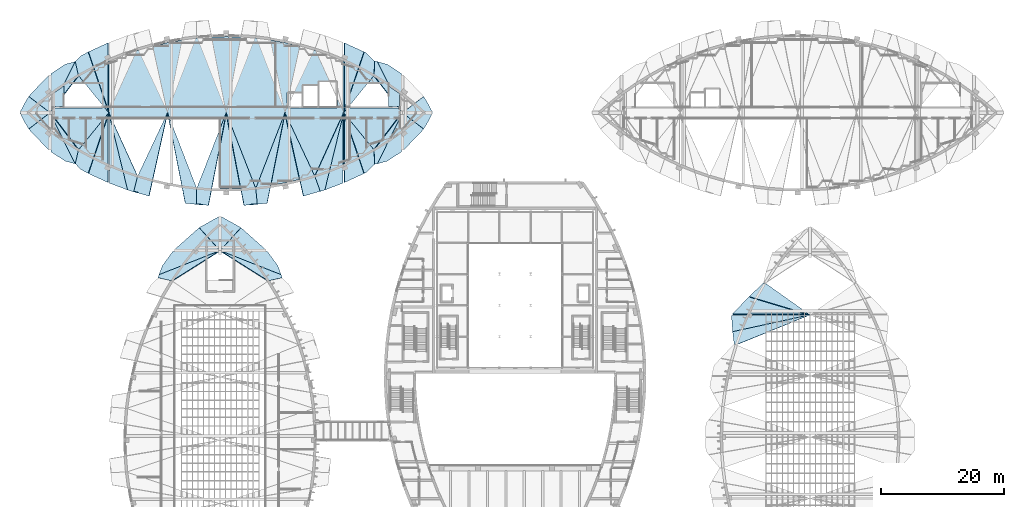
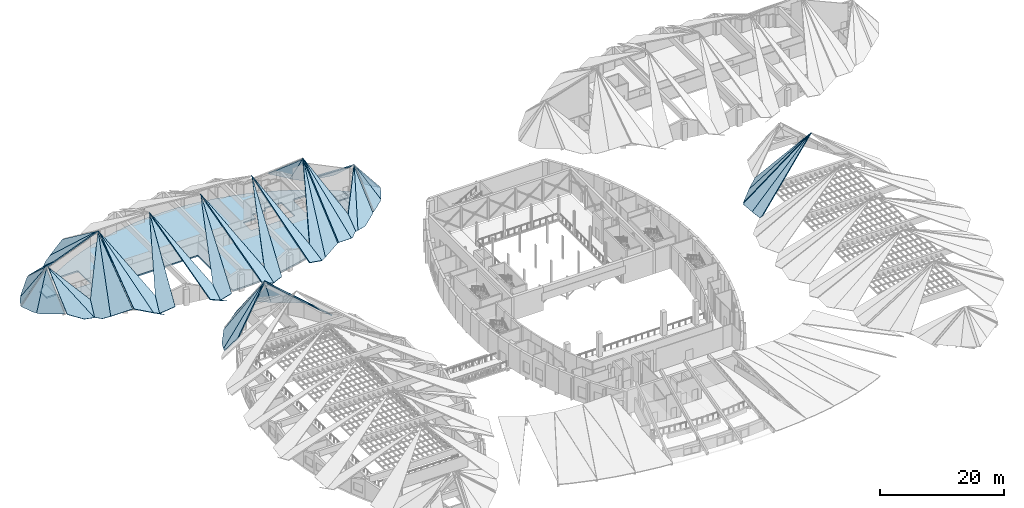
# One storey, part 24 of 56: 48 slabs.
"""IFC4 building model written with IfcOpenShell, lengths in metres."""

from ifc_helpers import new_model, si_unit, direction, frame, origin, place, context, subcontext, project, spatial, polyline, outline, extrude, material, layer, layer_set, type_object, element, save


model = new_model("IFC4")

# Units and contexts
model_context = context("Model", 3, precision=1e-05, world=origin(), true_north=direction((0.0, 1.0)))
body_context = subcontext(model_context, "Body", "Model", "MODEL_VIEW")
ifc_project = project(units=[si_unit("LENGTHUNIT", "METRE"), si_unit("AREAUNIT", "SQUARE_METRE"), si_unit("VOLUMEUNIT", "CUBIC_METRE"), si_unit("PLANEANGLEUNIT", "RADIAN"), si_unit("MASSUNIT", "GRAM", prefix="KILO")], contexts=[model_context])

# Site, building, storey
site_placement = place(None, origin())
site = spatial("IfcSite", under=ifc_project, at=site_placement, CompositionType="ELEMENT")
building_placement = place(site_placement, origin())
building = spatial("IfcBuilding", under=site, at=building_placement, Name="Tide Square Theatres", CompositionType="ELEMENT")
storey_placement = place(building_placement, frame((0.0, 0.0, 10.199951171875)))
storey = spatial("IfcBuildingStorey", under=building, at=storey_placement, Name="L02", CompositionType="ELEMENT", Elevation=10.199951171875)

# Slabs
ifc_material_1 = material(Name="Concrete C35", Category="concrete")
ifc_layer_1 = layer(ifc_material_1, 0.280029296875)
ifc_layer_set_1 = layer_set([ifc_layer_1], Name="Concrete C35")
slab_type_1 = type_object("IfcSlabType", Name="RC floor slab 280", PredefinedType="FLOOR", material=ifc_layer_set_1)
slab_1_placement = place(storey_placement, frame((0.0, 0.0, -0.280029296875)))
element("IfcSlab", 1, at=slab_1_placement, inside=storey, type_object=slab_type_1, Name="Scenery Workshops floor slab L02", PredefinedType="FLOOR", context=body_context, shape_type="SweptSolid", body=[
    extrude(outline(polyline([(63.3046875, 93.35986328125), (65.560546875, 94.95166015625), (67.484619140625, 96.473876953125), (68.993896484375, 97.800048828125), (67.484619140625, 99.1259765625), (65.560546875, 100.648193359375), (65.39990234375, 100.761474609375), (65.39990234375, 98.699951171875), (65.300048828125, 98.699951171875), (65.300048828125, 98.60009765625), (57.10009765625, 98.60009765625), (57.10009765625, 98.699951171875), (57.0, 98.699951171875), (57.0, 102.64990234375), (57.10009765625, 102.64990234375), (57.10009765625, 102.75), (62.48486328125, 102.75), (60.9609375, 103.697998046875), (58.53662109375, 105.017822265625), (56.03955078125, 106.195068359375), (53.72265625, 107.134521484375), (51.359130859375, 107.951171875), (48.9560546875, 108.642578125), (46.519775390625, 109.20703125), (44.1611328125, 109.626953125), (41.7841796875, 109.927490234375), (39.39501953125, 110.1083984375), (37.0, 110.168701171875), (34.60498046875, 110.1083984375), (32.2158203125, 109.927490234375), (29.8388671875, 109.626953125), (27.480224609375, 109.20703125), (25.0439453125, 108.642578125), (22.640869140625, 107.951171875), (20.27734375, 107.134521484375), (17.96044921875, 106.195068359375), (15.46337890625, 105.017822265625), (13.0390625, 103.697998046875), (11.51513671875, 102.75), (16.89990234375, 102.75), (16.89990234375, 102.64990234375), (17.0, 102.64990234375), (17.0, 98.699951171875), (16.89990234375, 98.699951171875), (16.89990234375, 98.60009765625), (8.699951171875, 98.60009765625), (8.699951171875, 98.699951171875), (8.60009765625, 98.699951171875), (8.60009765625, 100.761474609375), (8.439453125, 100.648193359375), (6.515380859375, 99.1259765625), (5.006103515625, 97.800048828125), (6.515380859375, 96.473876953125), (8.439453125, 94.95166015625), (10.6953125, 93.35986328125), (13.0390625, 91.90185546875), (15.46337890625, 90.582275390625), (16.89990234375, 89.905029296875), (16.89990234375, 89.92138671875), (16.91455078125, 89.923583984375), (16.927734375, 89.9296875), (16.938720703125, 89.939697265625), (16.9462890625, 89.9521484375), (16.94970703125, 89.96630859375), (16.949951171875, 96.85009765625), (35.949951171875, 96.85009765625), (35.949951171875, 85.5166015625), (35.9521484375, 85.501953125), (35.95849609375, 85.48876953125), (35.96826171875, 85.47802734375), (35.98095703125, 85.470458984375), (35.9951171875, 85.466796875), (36.0, 85.45654296875), (34.60498046875, 85.49169921875), (37.0, 85.431396484375), (39.39501953125, 85.49169921875), (41.7841796875, 85.67236328125), (44.1611328125, 85.97314453125), (46.519775390625, 86.39306640625), (48.9560546875, 86.957275390625), (51.359130859375, 87.64892578125), (53.72265625, 88.465576171875), (56.03955078125, 89.405029296875), (58.53662109375, 90.582275390625), (60.9609375, 91.90185546875), (63.3046875, 93.35986328125)]), holes=[polyline([(55.10009765625, 102.89990234375), (55.10009765625, 98.699951171875), (55.0, 98.699951171875), (55.0, 98.60009765625), (52.0, 98.60009765625), (49.39990234375, 98.60009765625), (47.0, 98.60009765625), (47.0, 98.699951171875), (46.89990234375, 98.699951171875), (46.89990234375, 101.10009765625), (47.0, 101.10009765625), (47.0, 101.199951171875), (49.300048828125, 101.199951171875), (49.300048828125, 102.300048828125), (49.39990234375, 102.300048828125), (49.39990234375, 102.39990234375), (51.89990234375, 102.39990234375), (51.89990234375, 102.89990234375), (52.0, 102.89990234375), (52.0, 103.0), (55.0, 103.0), (55.0, 102.89990234375), (55.10009765625, 102.89990234375)])]), origin(), (0.0, 0.0, 1.0), 0.280029296875),
])
slab_2_placement = place(storey_placement, frame((0.0, 0.0, -0.280029296875)))
element("IfcSlab", 2, at=slab_2_placement, inside=storey, type_object=slab_type_1, Name="Scenery Workshops floor slab L02", PredefinedType="FLOOR", context=body_context, shape_type="SweptSolid", body=[
    extrude(outline(polyline([(63.399169921875, 102.17333984375), (63.399169921875, 98.800048828125), (65.199951171875, 98.800048828125), (65.199951171875, 100.770751953125), (65.38671875, 100.770751953125), (63.399169921875, 102.17333984375)])), origin(), (0.0, 0.0, 1.0), 0.280029296875),
])
slab_3_placement = place(storey_placement, frame((0.0, 0.0, -0.280029296875)))
element("IfcSlab", 3, at=slab_3_placement, inside=storey, type_object=slab_type_1, Name="Scenery Workshops floor slab L02", PredefinedType="FLOOR", context=body_context, shape_type="SweptSolid", body=[
    extrude(outline(polyline([(10.600830078125, 98.800048828125), (10.600830078125, 102.17333984375), (8.61328125, 100.770751953125), (8.800048828125, 100.770751953125), (8.800048828125, 98.800048828125), (10.600830078125, 98.800048828125)])), origin(), (0.0, 0.0, 1.0), 0.280029296875),
])
ifc_material_2 = material(Name="Concrete C40", Category="concrete")
ifc_layer_2 = layer(ifc_material_2, 0.199951171875)
ifc_layer_set_2 = layer_set([ifc_layer_2], Name="Concrete C40")
slab_type_2 = type_object("IfcSlabType", Name="RC roof slab 200", PredefinedType="ROOF", material=ifc_layer_set_2)
slab_4_placement = place(storey_placement, frame((46.0849609375, 70.944091796875, 0.3671875), z_axis=(0.639148710971, 0.175770394016, 0.748728050664), x_axis=(-0.265116081722, 0.964216501297, -4.288935e-05)))
element("IfcSlab", 4, at=slab_4_placement, inside=storey, type_object=slab_type_2, Name="Roof plate studio-P028", PredefinedType="ROOF", context=body_context, shape_type="SweptSolid", body=[
    extrude(outline(polyline([(0.0, 0.0), (0.5157651413344062, -1.3877787807814457e-17), (6.941478188870865, 11.420095431054914), (0.10790128879525879, 3.066844370376746), (0.0, 0.0)])), origin(), (0.0, 0.0, -1.0), 0.199951171875),
])
slab_5_placement = place(storey_placement, frame((45.936279296875, 71.4462890625, 0.376220703125), z_axis=(0.646213883668, 0.241208938589, 0.72403443599), x_axis=(-0.349699568677, 0.936861895727, 1.730468e-06)))
element("IfcSlab", 5, at=slab_5_placement, inside=storey, type_object=slab_type_2, Name="Roof plate studio-P029", PredefinedType="ROOF", context=body_context, shape_type="SweptSolid", body=[
    extrude(outline(polyline([(0.0, 0.0), (1.561741034233145, 5.551115123125783e-17), (4.32937760944683, 1.071744114302099), (6.89664139665764, 10.571001842598129), (0.0, 0.0)])), origin(), (0.0, 0.0, -1.0), 0.199951171875),
])
slab_6_placement = place(storey_placement, frame((28.15771484375, 70.439453125, 2.400146484375), z_axis=(-0.639148710971, 0.175770394016, 0.748728050664), x_axis=(0.726651231616, 0.456912781679, 0.51303869009)))
element("IfcSlab", 6, at=slab_6_placement, inside=storey, type_object=slab_type_2, Name="Roof plate studio-P058", PredefinedType="ROOF", context=body_context, shape_type="SweptSolid", body=[
    extrude(outline(polyline([(0.0, 0.0), (10.792338788787529, 4.440892098500626e-16), (-2.115477695383024, 2.257574236798547), (-2.4420538736020356, 1.8583729331489167), (0.0, 0.0)])), origin(), (0.0, 0.0, -1.0), 0.199951171875),
])
slab_7_placement = place(storey_placement, frame((26.60986328125, 72.909423828125, 0.376220703125), z_axis=(-0.646213883668, 0.241208938589, 0.72403443599), x_axis=(-0.349699568677, -0.936861895727, -1.730468e-06)))
element("IfcSlab", 7, at=slab_7_placement, inside=storey, type_object=slab_type_2, Name="Roof plate studio-P059", PredefinedType="ROOF", context=body_context, shape_type="SweptSolid", body=[
    extrude(outline(polyline([(0.0, 0.0), (1.561741034233145, -5.551115123125783e-17), (-5.334900362424495, 10.571001842598127), (-2.767636575213685, 1.0717441143020987), (0.0, 0.0)])), origin(), (0.0, 0.0, -1.0), 0.199951171875),
])
slab_8_placement = place(storey_placement, frame((39.50390625, 79.00927734375, 0.459228515625), z_axis=(0.496885127601, 0.665686867028, 0.556746050758), x_axis=(-0.801559971537, 0.597914203393, 0.000466273498)))
element("IfcSlab", 8, at=slab_8_placement, inside=storey, type_object=slab_type_2, Name="Roof plate studio-P065", PredefinedType="ROOF", context=body_context, shape_type="SweptSolid", body=[
    extrude(outline(polyline([(0.0, 0.0), (0.14794997260622794, 6.938893903907228e-18), (0.61821650883719, 8.663931544148777), (-5.243492782114363, 0.814200266648444), (0.0, 0.0)])), origin(), (0.0, 0.0, -1.0), 0.199951171875),
])
slab_9_placement = place(storey_placement, frame((39.384033203125, 79.096435546875, 0.4619140625), z_axis=(0.446487439667, 0.703608008372, 0.552797193169), x_axis=(-0.844341871181, 0.535804819251, -1.5415205e-05)))
element("IfcSlab", 9, at=slab_9_placement, inside=storey, type_object=slab_type_2, Name="Roof plate studio-P066", PredefinedType="ROOF", context=body_context, shape_type="SweptSolid", body=[
    extrude(outline(polyline([(0.0, 0.0), (0.2556115033505845, 0.0), (3.774119845198093, 0.3498818534199548), (0.8371582968819686, 8.72187369924923), (0.0, 0.0)])), origin(), (0.0, 0.0, -1.0), 0.199951171875),
])
slab_10_placement = place(storey_placement, frame((32.831787109375, 79.2333984375, 0.4619140625), z_axis=(-0.446487439667, 0.703608008372, 0.552797193169), x_axis=(-0.844341871181, -0.535804819251, 1.5415205e-05)))
element("IfcSlab", 10, at=slab_10_placement, inside=storey, type_object=slab_type_2, Name="Roof plate studio-P067", PredefinedType="ROOF", context=body_context, shape_type="SweptSolid", body=[
    extrude(outline(polyline([(0.0, 0.0), (0.2556115033505845, 0.0), (-0.5815467935313843, 8.721873699249231), (-3.5185083418475083, 0.3498818534199548), (0.0, 0.0)])), origin(), (0.0, 0.0, -1.0), 0.199951171875),
])
slab_11_placement = place(storey_placement, frame((32.61474609375, 79.09765625, 0.459228515625), z_axis=(-0.496885127601, 0.665686867028, 0.556746050758), x_axis=(-0.801559971537, -0.597914203393, -0.000466273498)))
element("IfcSlab", 11, at=slab_11_placement, inside=storey, type_object=slab_type_2, Name="Roof plate studio-P068", PredefinedType="ROOF", context=body_context, shape_type="SweptSolid", body=[
    extrude(outline(polyline([(0.0, 0.0), (0.14794997260622794, -6.938893903907228e-18), (5.391442754720592, 0.8142002666484442), (-0.4702665362309624, 8.663931544148777), (0.0, 0.0)])), origin(), (0.0, 0.0, -1.0), 0.199951171875),
])
slab_12_placement = place(storey_placement, frame((119.996826171875, 60.0283203125, 0.60009765625), z_axis=(-0.595336577291, -0.075895161992, 0.799883919157), x_axis=(0.749787042317, 0.305328940673, 0.587020978467)))
element("IfcSlab", 12, at=slab_12_placement, inside=storey, type_object=slab_type_2, Name="Roof plate blackbox-P053", PredefinedType="ROOF", context=body_context, shape_type="SweptSolid", body=[
    extrude(outline(polyline([(0.0, 0.0), (16.008760292945148, 2.220446049250313e-16), (0.0509410687597292, 2.2415899517311715), (-0.3739478128164683, 0.24399788270558087), (0.0, 0.0)])), origin(), (0.0, 0.0, -1.0), 0.199951171875),
])
slab_13_placement = place(storey_placement, frame((119.2080078125, 64.81201171875, 0.350830078125), z_axis=(-0.601375944453, -0.041152043545, 0.79790568537), x_axis=(0.068270157626, -0.997666871043, 0.0)))
element("IfcSlab", 13, at=slab_13_placement, inside=storey, type_object=slab_type_2, Name="Roof plate blackbox-P054", PredefinedType="ROOF", context=body_context, shape_type="SweptSolid", body=[
    extrude(outline(polyline([(0.0, 0.0), (2.6463109033465853, 2.7755575615628914e-17), (0.8405929832943165, 15.395324467506033), (0.0, 0.0)])), origin(), (0.0, 0.0, -1.0), 0.199951171875),
])
slab_14_placement = place(storey_placement, frame((122.074462890625, 67.886474609375, 0.388427734375), z_axis=(-0.522425702511, 0.496613716187, 0.693142266963), x_axis=(-0.688974976237, -0.724785128241, 0.0)))
element("IfcSlab", 14, at=slab_14_placement, inside=storey, type_object=slab_type_2, Name="Roof plate blackbox-P056", PredefinedType="ROOF", context=body_context, shape_type="SweptSolid", body=[
    extrude(outline(polyline([(0.0, 0.0), (3.954229585021727, -2.220446049250313e-16), (-4.521205504734413, 12.863094041719187), (0.0, 0.0)])), origin(), (0.0, 0.0, -1.0), 0.199951171875),
])
slab_15_placement = place(storey_placement, frame((124.453369140625, 70.1328125, 0.39306640625), z_axis=(-0.502271652156, 0.530551228174, 0.68281665308), x_axis=(-0.726189469444, -0.687494621339, 9.857871e-06)))
element("IfcSlab", 15, at=slab_15_placement, inside=storey, type_object=slab_type_2, Name="Roof plate blackbox-P057", PredefinedType="ROOF", context=body_context, shape_type="SweptSolid", body=[
    extrude(outline(polyline([(0.0, 0.0), (3.2695204025928977, 0.0), (-1.8938372332044897, 13.146243207550333), (-0.13378341810675584, 0.28342143106653195), (0.0, 0.0)])), origin(), (0.0, 0.0, -1.0), 0.199951171875),
])
slab_16_placement = place(storey_placement, frame((10.793212890625, 89.921630859375, 0.374755859375), z_axis=(-0.178013644011, -0.66219448838, 0.727880211371), x_axis=(0.965721873335, -0.259579010356, 2.7311934e-05)))
element("IfcSlab", 16, at=slab_16_placement, inside=storey, type_object=slab_type_2, Name="Roof plate workshops-P001", PredefinedType="ROOF", context=body_context, shape_type="SweptSolid", body=[
    extrude(outline(polyline([(0.0, 0.0), (1.6705328274869389, -1.1102230246251565e-16), (-4.226688285931531, 9.24626440507435), (-2.6528243358009003, 1.2011072389629083), (0.0, 0.0)])), origin(), (0.0, 0.0, -1.0), 0.199951171875),
])
slab_17_placement = place(storey_placement, frame((8.31982421875, 97.800048828125, 6.93701171875), z_axis=(-0.11767505011, -0.650344013042, 0.750470017577), x_axis=(0.360012536575, -0.732248532942, -0.578102983484)))
element("IfcSlab", 17, at=slab_17_placement, inside=storey, type_object=slab_type_2, Name="Roof plate workshops-P002", PredefinedType="ROOF", context=body_context, shape_type="SweptSolid", body=[
    extrude(outline(polyline([(0.0, 0.0), (11.365702135488824, 0.0), (11.377621499432642, 0.02148081940194979), (8.73106181095661, 1.5941272608540018), (0.0, 0.0)])), origin(), (0.0, 0.0, -1.0), 0.199951171875),
])
slab_18_placement = place(storey_placement, frame((14.529541015625, 87.916259765625, 0.8359375), z_axis=(-0.526692469032, -0.501403866826, 0.686432229282), x_axis=(0.234159064953, 0.690695078555, 0.684185530949)))
element("IfcSlab", 18, at=slab_18_placement, inside=storey, type_object=slab_type_2, Name="Roof plate workshops-P003", PredefinedType="ROOF", context=body_context, shape_type="SweptSolid", body=[
    extrude(outline(polyline([(0.0, 0.0), (14.309848849810884, 0.0), (3.331090603587358, 2.901566665330901), (0.30137086024346516, 2.641145297971586), (-0.13330374343298879, 1.4341459474092357), (0.0, 0.0)])), origin(), (0.0, 0.0, -1.0), 0.199951171875),
])
slab_19_placement = place(storey_placement, frame((14.529541015625, 87.916259765625, 0.8359375), z_axis=(-0.495130951641, -0.520917738056, 0.695334488506), x_axis=(0.862034902028, -0.394362007966, 0.318393521224)))
element("IfcSlab", 19, at=slab_19_placement, inside=storey, type_object=slab_type_2, Name="Roof plate workshops-P004", PredefinedType="ROOF", context=body_context, shape_type="SweptSolid", body=[
    extrude(outline(polyline([(0.0, 0.0), (3.7664671862297197, 0.0), (2.042554873369554, 13.71463843852435), (0.0, 0.0)])), origin(), (0.0, 0.0, -1.0), 0.199951171875),
])
slab_20_placement = place(storey_placement, frame((20.9541015625, 85.220947265625, 0.94775390625), z_axis=(0.06623032582, -0.598255508903, 0.798563641803), x_axis=(-0.190126783886, 0.778091205905, 0.598686797368)))
element("IfcSlab", 20, at=slab_20_placement, inside=storey, type_object=slab_type_2, Name="Roof plate workshops-P006", PredefinedType="ROOF", context=body_context, shape_type="SweptSolid", body=[
    extrude(outline(polyline([(0.0, 0.0), (15.61971702146571, 3.3306690738754696e-16), (2.0896170480042424, 2.6262112647554967), (0.0, 0.0)])), origin(), (0.0, 0.0, -1.0), 0.199951171875),
])
slab_21_placement = place(storey_placement, frame((22.58056640625, 87.4580078125, 2.400146484375), z_axis=(0.098998917179, -0.591513343325, 0.800194463281), x_axis=(-0.335110803028, 0.7373555833, 0.58652152004)))
element("IfcSlab", 21, at=slab_21_placement, inside=storey, type_object=slab_type_2, Name="Roof plate workshops-P007", PredefinedType="ROOF", context=body_context, shape_type="SweptSolid", body=[
    extrude(outline(polyline([(0.0, 0.0), (14.025760659624094, 0.0), (-1.9563226471506572, 2.4355848739578057), (-3.2627502529642554, 1.0892660861375163), (-3.282498471568397, 0.9973232673708377), (-2.6802048700310017, 1.6420614392650266), (0.0, 0.0)])), origin(), (0.0, 0.0, -1.0), 0.199951171875),
])
slab_22_placement = place(storey_placement, frame((24.4306640625, 84.2236328125, 1.5478515625), z_axis=(-0.422760067799, -0.449224069756, 0.787065219805), x_axis=(0.179506860924, 0.809775852938, 0.558605723995)))
element("IfcSlab", 22, at=slab_22_placement, inside=storey, type_object=slab_type_2, Name="Roof plate workshops-P008", PredefinedType="ROOF", context=body_context, shape_type="SweptSolid", body=[
    extrude(outline(polyline([(0.0, 0.0), (16.76569352021573, 8.881784197001252e-16), (2.763110373561297, 2.6411494989225064), (-0.3789400472123346, 2.727074257172835), (0.0, 0.0)])), origin(), (0.0, 0.0, -1.0), 0.199951171875),
])
slab_23_placement = place(storey_placement, frame((32.19580078125, 85.473388671875, 2.400146484375), z_axis=(0.255404540717, -0.480792409613, 0.838812958555), x_axis=(-0.302566783649, 0.784262138451, 0.541651400464)))
element("IfcSlab", 23, at=slab_23_placement, inside=storey, type_object=slab_type_2, Name="Roof plate workshops-P012", PredefinedType="ROOF", context=body_context, shape_type="SweptSolid", body=[
    extrude(outline(polyline([(0.0, 0.0), (15.717401875797844, 5.551115123125783e-16), (-1.7711037179920304, 2.6015315841352806), (-3.467251666111462, 0.00022122202361157806), (-3.4248078168382294, 0.000130526791939381), (-2.8000190399882574, 1.007659269271725), (0.0, 0.0)])), origin(), (0.0, 0.0, -1.0), 0.199951171875),
])
slab_24_placement = place(storey_placement, frame((34.09912109375, 82.71337890625, 1.671630859375), z_axis=(-0.342907292048, -0.453598385184, 0.822595340382), x_axis=(0.160463880424, 0.834533450302, 0.527072351206)))
element("IfcSlab", 24, at=slab_24_placement, inside=storey, type_object=slab_type_2, Name="Roof plate workshops-P013", PredefinedType="ROOF", context=body_context, shape_type="SweptSolid", body=[
    extrude(outline(polyline([(0.0, 0.0), (18.07793117956445, -8.881784197001252e-16), (2.381886752899239, 2.469338500601472), (-0.563256568417196, 2.0431758062995016), (0.0, 0.0)])), origin(), (0.0, 0.0, -1.0), 0.199951171875),
])
slab_25_placement = place(storey_placement, frame((37.0, 97.800048828125, 11.199951171875), z_axis=(0.342903878631, -0.453596658213, 0.82259771558), x_axis=(0.160464991735, -0.834534920339, -0.527069685299)))
element("IfcSlab", 25, at=slab_25_placement, inside=storey, type_object=slab_type_2, Name="Roof plate workshops-P017", PredefinedType="ROOF", context=body_context, shape_type="SweptSolid", body=[
    extrude(outline(polyline([(0.0, 0.0), (18.07793117969558, -4.440892098500626e-16), (18.69140178594114, 2.22489107226919), (15.696044426813614, 2.4693385006181363), (0.0, 0.0)])), origin(), (0.0, 0.0, -1.0), 0.199951171875),
])
slab_26_placement = place(storey_placement, frame((43.6572265625, 83.064208984375, 1.4541015625), z_axis=(-0.24549201206, -0.512067259286, 0.823116513005), x_axis=(0.160701083926, 0.815854783554, 0.555478292804)))
element("IfcSlab", 26, at=slab_26_placement, inside=storey, type_object=slab_type_2, Name="Roof plate workshops-P018", PredefinedType="ROOF", context=body_context, shape_type="SweptSolid", body=[
    extrude(outline(polyline([(0.0, 0.0), (18.061709760024165, 4.440892098500626e-16), (2.1932646879231905, 2.307043151613668), (-0.7156354369593425, 1.5519138266659347), (-1.2644937797250781, 2.809621603515457), (-1.3073199551402994, 2.8157479855857313), (0.0, 0.0)])), origin(), (0.0, 0.0, -1.0), 0.199951171875),
])
slab_27_placement = place(storey_placement, frame((51.41943359375, 87.4580078125, 2.400146484375), z_axis=(0.424265724803, -0.476955709423, 0.769747910686), x_axis=(-0.33286465625, 0.708389420279, 0.622403044543)))
element("IfcSlab", 27, at=slab_27_placement, inside=storey, type_object=slab_type_2, Name="Roof plate workshops-P022", PredefinedType="ROOF", context=body_context, shape_type="SweptSolid", body=[
    extrude(outline(polyline([(0.0, 0.0), (14.599358918442277, 1.3322676295501878e-15), (-2.2880429078103655, 3.10127341118619), (-3.267775760845745, 0.24418556742382064), (0.0, 0.0)])), origin(), (0.0, 0.0, -1.0), 0.199951171875),
])
slab_28_placement = place(storey_placement, frame((53.0458984375, 85.220947265625, 0.638427734375), z_axis=(-0.064992320067, -0.646127753373, 0.760457049841), x_axis=(0.181247690517, 0.741748994776, 0.645722621123)))
element("IfcSlab", 28, at=slab_28_placement, inside=storey, type_object=slab_type_2, Name="Roof plate workshops-P023", PredefinedType="ROOF", context=body_context, shape_type="SweptSolid", body=[
    extrude(outline(polyline([(0.0, 0.0), (16.958746601156385, -3.3306690738754696e-16), (2.5021260641945147, 2.119633433228381), (-0.44024407357323975, 0.6772593558341259), (-0.5098356360075105, 0.780845818851669), (-0.5027333651893791, 0.7147365715367522), (0.0, 0.0)])), origin(), (0.0, 0.0, -1.0), 0.199951171875),
])
slab_29_placement = place(storey_placement, frame((53.0458984375, 85.220947265625, 0.638427734375), z_axis=(-0.02843194865, -0.652368738466, 0.75736824159), x_axis=(0.885626300881, 0.334904986549, 0.32172147142)))
element("IfcSlab", 29, at=slab_29_placement, inside=storey, type_object=slab_type_2, Name="Roof plate workshops-P024", PredefinedType="ROOF", context=body_context, shape_type="SweptSolid", body=[
    extrude(outline(polyline([(0.0, 0.0), (3.3518718407776253, 0.0), (10.099823338767942, 12.892793222816294), (0.0, 0.0)])), origin(), (0.0, 0.0, -1.0), 0.199951171875),
])
slab_30_placement = place(storey_placement, frame((59.470458984375, 87.916259765625, 0.51220703125), z_axis=(0.501496710308, -0.564626645567, 0.655513387099), x_axis=(-0.220164636089, 0.649446754706, 0.727836826368)))
element("IfcSlab", 30, at=slab_30_placement, inside=storey, type_object=slab_type_2, Name="Roof plate workshops-P026", PredefinedType="ROOF", context=body_context, shape_type="SweptSolid", body=[
    extrude(outline(polyline([(0.0, 0.0), (14.740611325149064, -1.3322676295501878e-15), (0.6263859219302261, 3.7140412602857453), (0.0, 0.0)])), origin(), (0.0, 0.0, -1.0), 0.199951171875),
])
slab_31_placement = place(storey_placement, frame((56.11962890625, 97.800048828125, 11.589111328125), z_axis=(0.534982522961, -0.543529623828, 0.646814693824), x_axis=(0.220173239903, -0.649439156549, -0.727841003497)))
element("IfcSlab", 31, at=slab_31_placement, inside=storey, type_object=slab_type_2, Name="Roof plate workshops-P027", PredefinedType="ROOF", context=body_context, shape_type="SweptSolid", body=[
    extrude(outline(polyline([(0.0, 0.0), (15.218907886001316, 8.881784197001252e-16), (15.256765516369509, 0.33130889277115383), (14.66926664691346, 2.208572968058176), (11.718952616611578, 2.8953639610253874), (0.0, 0.0)])), origin(), (0.0, 0.0, -1.0), 0.199951171875),
])
slab_32_placement = place(storey_placement, frame((61.152587890625, 89.398681640625, 0.366455078125), z_axis=(0.11767334341, -0.650344372655, 0.750469973554), x_axis=(0.984020438892, 0.178055541358, 5.92204e-06)))
element("IfcSlab", 32, at=slab_32_placement, inside=storey, type_object=slab_type_2, Name="Roof plate workshops-P028", PredefinedType="ROOF", context=body_context, shape_type="SweptSolid", body=[
    extrude(outline(polyline([(0.0, 0.0), (0.4428682674024271, 1.3877787807814457e-17), (5.95118791706851, 9.941710097862181), (0.3253295530141991, 3.0771343834920604), (0.0, 0.0)])), origin(), (0.0, 0.0, -1.0), 0.199951171875),
])
slab_33_placement = place(storey_placement, frame((61.593505859375, 89.488037109375, 0.374755859375), z_axis=(0.178013644011, -0.66219448838, 0.727880211371), x_axis=(0.965721873335, 0.259579010356, -2.7311934e-05)))
element("IfcSlab", 33, at=slab_33_placement, inside=storey, type_object=slab_type_2, Name="Roof plate workshops-P029", PredefinedType="ROOF", context=body_context, shape_type="SweptSolid", body=[
    extrude(outline(polyline([(0.0, 0.0), (1.6705328274869389, 1.1102230246251565e-16), (4.323357163287839, 1.2011072389629083), (5.89722111341847, 9.24626440507435), (0.0, 0.0)])), origin(), (0.0, 0.0, -1.0), 0.199951171875),
])
slab_34_placement = place(storey_placement, frame((12.406494140625, 106.112060546875, 0.374755859375), z_axis=(-0.178013644011, 0.66219448838, 0.727880211371), x_axis=(-0.965702460656, -0.259651219183, 4.312824e-05)))
element("IfcSlab", 34, at=slab_34_placement, inside=storey, type_object=slab_type_2, Name="Roof plate workshops-P031", PredefinedType="ROOF", context=body_context, shape_type="SweptSolid", body=[
    extrude(outline(polyline([(0.0, 0.0), (1.6705962100834852, -1.1102230246251565e-16), (4.323480526318124, 1.2006631081986845), (5.898234312397276, 9.24583016234023), (0.0, 0.0)])), origin(), (0.0, 0.0, -1.0), 0.199951171875),
])
slab_35_placement = place(storey_placement, frame((12.435791015625, 106.126953125, 0.366455078125), z_axis=(-0.11758322698, 0.650323801616, 0.750501923905), x_axis=(-0.983946175755, -0.178464807561, 0.000485469225)))
element("IfcSlab", 35, at=slab_35_placement, inside=storey, type_object=slab_type_2, Name="Roof plate workshops-P032", PredefinedType="ROOF", context=body_context, shape_type="SweptSolid", body=[
    extrude(outline(polyline([(0.0, 0.0), (0.024566171371042615, 0.0), (5.539138965273937, 9.938242899694998), (-0.09099314711147033, 3.0773879857817468), (0.0, 0.0)])), origin(), (0.0, 0.0, -1.0), 0.199951171875),
])
slab_36_placement = place(storey_placement, frame((12.9384765625, 103.870849609375, 2.400146484375), z_axis=(-0.526720965895, 0.501385694322, 0.686423637134), x_axis=(0.435191778245, -0.534606148044, 0.724433835917)))
element("IfcSlab", 36, at=slab_36_placement, inside=storey, type_object=slab_type_2, Name="Roof plate workshops-P033", PredefinedType="ROOF", context=body_context, shape_type="SweptSolid", body=[
    extrude(outline(polyline([(0.0, 0.0), (11.355582654717496, -5.551115123125783e-16), (-2.4791947236457217, 3.656598008472338), (-2.974409955798265, 2.3039611892828717), (-2.8627213374566916, 1.0261265251700016), (0.0, 0.0)])), origin(), (0.0, 0.0, -1.0), 0.199951171875),
])
slab_37_placement = place(storey_placement, frame((14.529541015625, 107.683837890625, 0.8359375), z_axis=(-0.495130951641, 0.520917738056, 0.695334488506), x_axis=(0.23415897001, -0.690697652119, 0.684182965383)))
element("IfcSlab", 37, at=slab_37_placement, inside=storey, type_object=slab_type_2, Name="Roof plate workshops-P034", PredefinedType="ROOF", context=body_context, shape_type="SweptSolid", body=[
    extrude(outline(polyline([(0.0, 0.0), (13.865905592862493, 1.3322676295501878e-15), (0.5548296759340497, 3.7253777118096547), (0.0, 0.0)])), origin(), (0.0, 0.0, -1.0), 0.199951171875),
])
slab_38_placement = place(storey_placement, frame((59.470458984375, 107.683837890625, 0.51220703125), z_axis=(0.501496710308, 0.564626645567, 0.655513387099), x_axis=(-0.861640313769, 0.394229774193, 0.31962298858)))
element("IfcSlab", 38, at=slab_38_placement, inside=storey, type_object=slab_type_2, Name="Roof plate workshops-P056", PredefinedType="ROOF", context=body_context, shape_type="SweptSolid", body=[
    extrude(outline(polyline([(0.0, 0.0), (3.766491976136058, -1.1102230246251565e-16), (2.4514353072353647, 14.535339252097033), (0.0, 0.0)])), origin(), (0.0, 0.0, -1.0), 0.199951171875),
])
slab_39_placement = place(storey_placement, frame((59.470458984375, 107.683837890625, 0.51220703125), z_axis=(0.535015160366, 0.543508344329, 0.646805579616), x_axis=(-0.220173239854, -0.649439156725, 0.727841003354)))
element("IfcSlab", 39, at=slab_39_placement, inside=storey, type_object=slab_type_2, Name="Roof plate workshops-P057", PredefinedType="ROOF", context=body_context, shape_type="SweptSolid", body=[
    extrude(outline(polyline([(0.0, 0.0), (15.218907886001325, -8.881784197001252e-16), (3.500113824352596, 2.89549379586294), (0.5496412394549479, 2.2085729684693094), (-0.037699075831502615, 0.3314387309296202), (0.0, 0.0)])), origin(), (0.0, 0.0, -1.0), 0.199951171875),
])
slab_40_placement = place(storey_placement, frame((65.68017578125, 97.800048828125, 6.93701171875), z_axis=(0.117587131948, 0.650322979084, 0.750502024831), x_axis=(-0.36001227165, 0.732249998705, -0.578101291866)))
element("IfcSlab", 40, at=slab_40_placement, inside=storey, type_object=slab_type_2, Name="Roof plate workshops-P058", PredefinedType="ROOF", context=body_context, shape_type="SweptSolid", body=[
    extrude(outline(polyline([(0.0, 0.0), (11.365702135428936, 0.0), (11.580335595994523, 0.38738195407022546), (8.73088303946058, 1.5941766221603124), (0.0, 0.0)])), origin(), (0.0, 0.0, -1.0), 0.199951171875),
])
slab_41_placement = place(storey_placement, frame((63.206787109375, 105.67822265625, 0.374755859375), z_axis=(0.178013644011, 0.66219448838, 0.727880211371), x_axis=(-0.965702460656, 0.259651219183, -4.312824e-05)))
element("IfcSlab", 41, at=slab_41_placement, inside=storey, type_object=slab_type_2, Name="Roof plate workshops-P059", PredefinedType="ROOF", context=body_context, shape_type="SweptSolid", body=[
    extrude(outline(polyline([(0.0, 0.0), (1.6705962100834852, 1.1102230246251565e-16), (-4.227638102313791, 9.245830162340232), (-2.652884316234639, 1.2006631081986845), (0.0, 0.0)])), origin(), (0.0, 0.0, -1.0), 0.199951171875),
])
slab_42_placement = place(storey_placement, frame((4.8779296875, 95.16455078125, 0.459716796875), z_axis=(-0.65927376018, -0.505979747872, 0.556185763825), x_axis=(0.608879375431, -0.793262819071, 7.7805203e-05)))
element("IfcSlab", 42, at=slab_42_placement, inside=storey, type_object=slab_type_2, Name="Roof plate workshops-P061", PredefinedType="ROOF", context=body_context, shape_type="SweptSolid", body=[
    extrude(outline(polyline([(0.0, 0.0), (0.6546801846298076, 0.0), (4.7706547111044495, 0.9037800815911866), (0.005305662173552249, 7.4806420750063864), (0.0, 0.0)])), origin(), (0.0, 0.0, -1.0), 0.199951171875),
])
slab_43_placement = place(storey_placement, frame((4.401611328125, 95.89453125, 0.46044921875), z_axis=(-0.696320129887, -0.454942573351, 0.555126590668), x_axis=(0.546967699338, -0.837153710907, 1.3971438e-05)))
element("IfcSlab", 43, at=slab_43_placement, inside=storey, type_object=slab_type_2, Name="Roof plate workshops-P062", PredefinedType="ROOF", context=body_context, shape_type="SweptSolid", body=[
    extrude(outline(polyline([(0.0, 0.0), (0.871699306325374, 0.0), (0.559688401712762, 7.504144614216924), (-2.040227451530242, 0.336130284220256), (0.0, 0.0)])), origin(), (0.0, 0.0, -1.0), 0.199951171875),
])
slab_44_placement = place(storey_placement, frame((4.87841796875, 100.43505859375, 0.46044921875), z_axis=(-0.696300753813, 0.454975090893, 0.555124244568), x_axis=(-0.547033562305, -0.837110672283, -6.3729129e-05)))
element("IfcSlab", 44, at=slab_44_placement, inside=storey, type_object=slab_type_2, Name="Roof plate workshops-P063", PredefinedType="ROOF", context=body_context, shape_type="SweptSolid", body=[
    extrude(outline(polyline([(0.0, 0.0), (0.8714949306552708, 0.0), (2.9116937802344998, 0.33630383077611126), (0.3111682056328187, 7.504096978272488), (0.0, 0.0)])), origin(), (0.0, 0.0, -1.0), 0.199951171875),
])
slab_45_placement = place(storey_placement, frame((5.276611328125, 100.95458984375, 0.459716796875), z_axis=(-0.65927905337, 0.505987691993, 0.556172262288), x_axis=(-0.608881403568, -0.79326126251, -7.6091522e-05)))
element("IfcSlab", 45, at=slab_45_placement, inside=storey, type_object=slab_type_2, Name="Roof plate workshops-P064", PredefinedType="ROOF", context=body_context, shape_type="SweptSolid", body=[
    extrude(outline(polyline([(0.0, 0.0), (0.6546801849085839, -2.7755575615628914e-17), (0.6491808717801083, 7.480559383794949), (-4.1159745241644226, 0.9037800923142743), (0.0, 0.0)])), origin(), (0.0, 0.0, -1.0), 0.199951171875),
])
slab_46_placement = place(storey_placement, frame((68.723388671875, 94.645263671875, 0.459716796875), z_axis=(0.65927376018, -0.505979747872, 0.556185763825), x_axis=(0.608879375431, 0.793262819071, -7.7805203e-05)))
element("IfcSlab", 46, at=slab_46_placement, inside=storey, type_object=slab_type_2, Name="Roof plate workshops-P065", PredefinedType="ROOF", context=body_context, shape_type="SweptSolid", body=[
    extrude(outline(polyline([(0.0, 0.0), (0.6546801846298076, 0.0), (0.6493745224562556, 7.4806420750063864), (-4.115974526474641, 0.9037800815911868), (0.0, 0.0)])), origin(), (0.0, 0.0, -1.0), 0.199951171875),
])
slab_47_placement = place(storey_placement, frame((69.12158203125, 95.164794921875, 0.46044921875), z_axis=(0.696320129887, -0.454942573351, 0.555126590668), x_axis=(0.546967699338, 0.837153710907, -1.3971438e-05)))
element("IfcSlab", 47, at=slab_47_placement, inside=storey, type_object=slab_type_2, Name="Roof plate workshops-P066", PredefinedType="ROOF", context=body_context, shape_type="SweptSolid", body=[
    extrude(outline(polyline([(0.0, 0.0), (0.871699306325374, 0.0), (2.911926757855616, 0.336130284220256), (0.31201090461261194, 7.504144614216924), (0.0, 0.0)])), origin(), (0.0, 0.0, -1.0), 0.199951171875),
])
slab_48_placement = place(storey_placement, frame((69.598388671875, 99.70556640625, 0.46044921875), z_axis=(0.696300753813, 0.454975090893, 0.555124244568), x_axis=(-0.547033562305, 0.837110672283, 6.3729129e-05)))
element("IfcSlab", 48, at=slab_48_placement, inside=storey, type_object=slab_type_2, Name="Roof plate workshops-P067", PredefinedType="ROOF", context=body_context, shape_type="SweptSolid", body=[
    extrude(outline(polyline([(0.0, 0.0), (0.8714949306552708, 0.0), (0.560326725022452, 7.504096978272488), (-2.040198849579229, 0.3363038307761113), (0.0, 0.0)])), origin(), (0.0, 0.0, -1.0), 0.199951171875),
])

save(model, "model.ifc")
